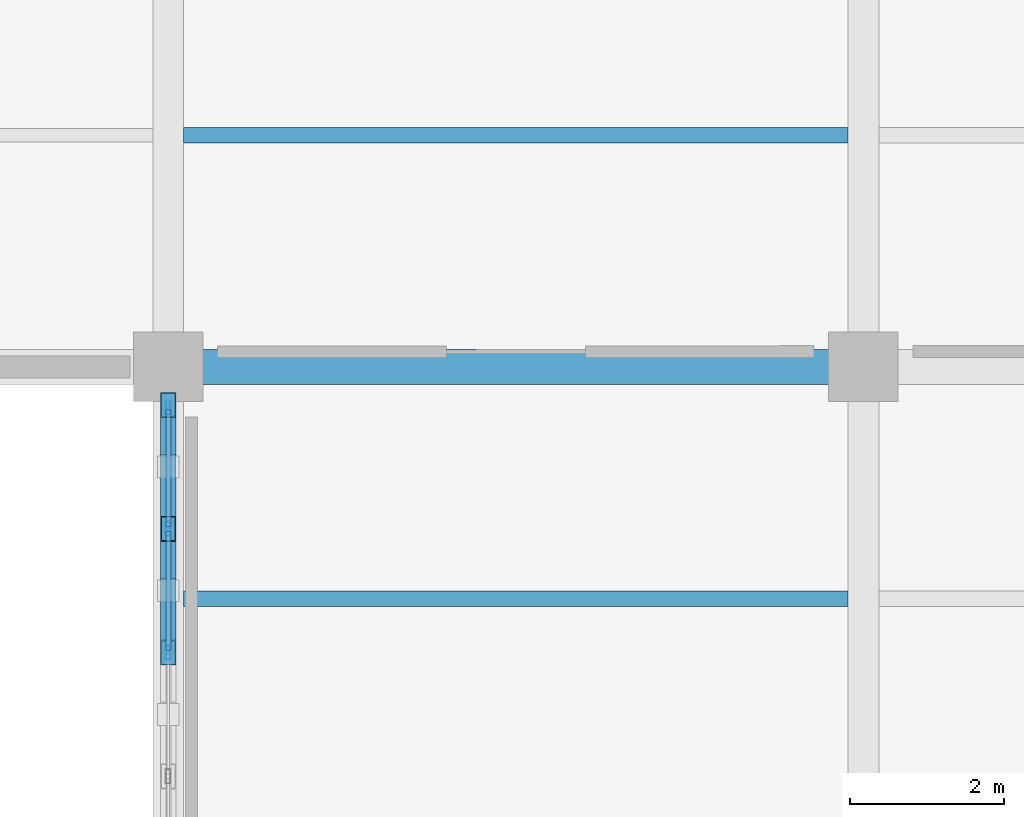
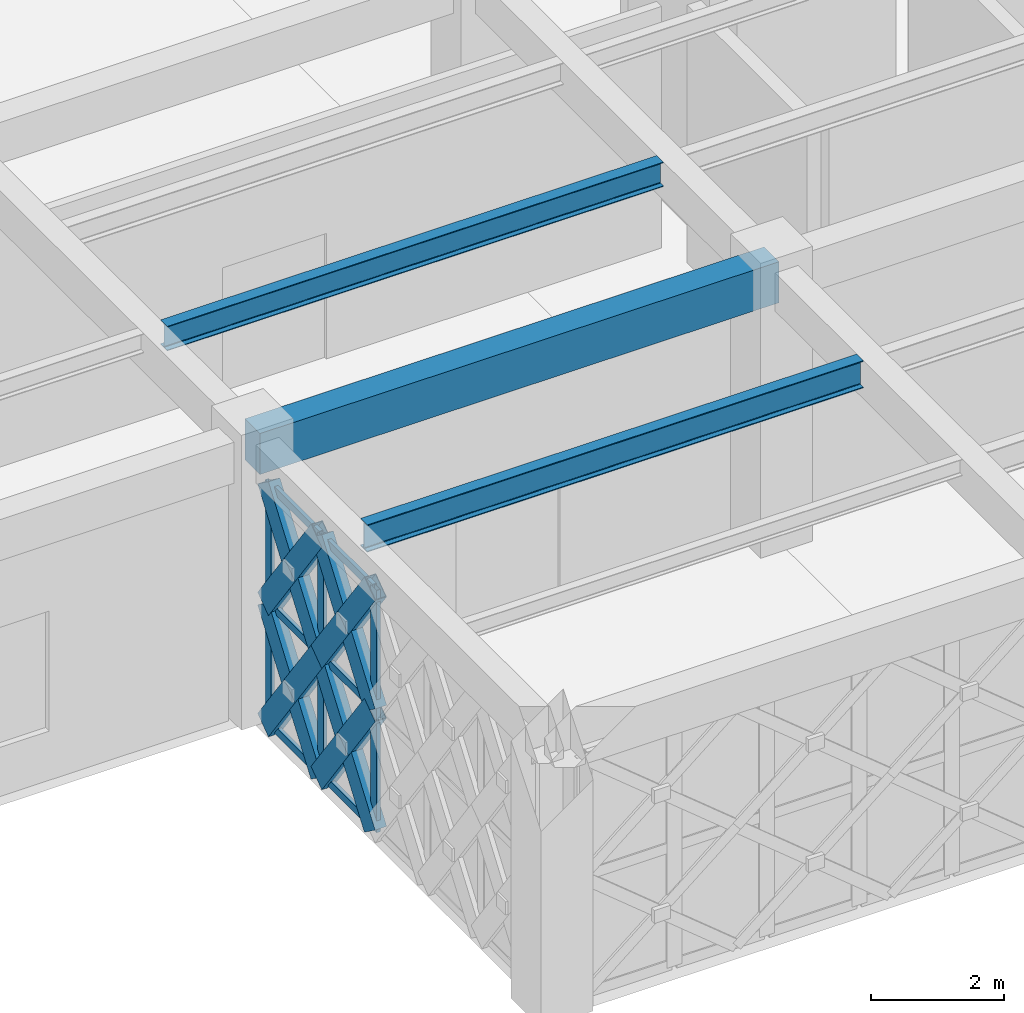
# One storey, part 77 of 166: 21 members, 3 beams, 1 element without a shape of its own.
"""IFC4 building model written with IfcOpenShell, lengths in metres."""

from ifc_helpers import new_model, si_unit, direction, frame, origin, origin_2d, place, context, subcontext, project, spatial, rectangle, hollow_rectangle, i_section, extrude, material, material_profile, profile_set, type_object, element, aggregate, save


model = new_model("IFC4")

# Units and contexts
model_context = context("Model", 3, precision=1e-05, world=origin(), true_north=direction((0.0, 1.0)))
body_context = subcontext(model_context, "Body", "Model", "MODEL_VIEW")
ifc_project = project(units=[si_unit("LENGTHUNIT", "METRE"), si_unit("AREAUNIT", "SQUARE_METRE"), si_unit("VOLUMEUNIT", "CUBIC_METRE"), si_unit("PLANEANGLEUNIT", "RADIAN"), si_unit("MASSUNIT", "GRAM", prefix="KILO")], contexts=[model_context])

# Site, building, storey
site_placement = place(None, origin())
site = spatial("IfcSite", under=ifc_project, at=site_placement, CompositionType="ELEMENT")
building_placement = place(site_placement, origin())
building = spatial("IfcBuilding", under=site, at=building_placement, Name="Haizhuo Lancet Aquarium", CompositionType="ELEMENT")
storey_placement = place(building_placement, frame((0.0, 0.0, 5.39990234375)))
storey = spatial("IfcBuildingStorey", under=building, at=storey_placement, Name="L01", CompositionType="ELEMENT", Elevation=5.39990234375)

# Beam
ifc_material_1 = material(Name="Concrete C40/50", Category="concrete")
ifc_material_profile_1 = material_profile(ifc_material_1, rectangle(XDim=0.449951171875, YDim=0.75, at=origin_2d()), Name="RC-BM 450x750")
ifc_profile_set_1 = profile_set([ifc_material_profile_1], Name="Concrete C40/50")
beam_type_1 = type_object("IfcBeamType", Name="BM-RC-450x750", PredefinedType="BEAM", material=ifc_profile_set_1)
beam_1_placement = place(storey_placement, frame((-18.0, 36.0, 4.76513671875), z_axis=(1.0, 0.0, 0.0), x_axis=(0.0, 1.0, 0.0)))
element("IfcBeam", 1, at=beam_1_placement, inside=storey, type_object=beam_type_1, Name="L01 V5 primary girder BM-L01-V5-006", PredefinedType="BEAM", context=body_context, shape_type="SweptSolid", body=[
    extrude(rectangle(XDim=0.449951171875, YDim=0.75, at=origin_2d()), origin(), (0.0, 0.0, 1.0), 9.0),
])

# Curtain wall, members
ifc_material_2 = material(Name="Aluminium 6063-T6", Category="aluminium")
curtain_wall_type = type_object("IfcCurtainWallType", Name="CWD-8010x4440", PredefinedType="NOTDEFINED", material=ifc_material_2)
curtain_wall_placement = place(storey_placement, origin())
curtain_wall = element("IfcCurtainWall", 2, at=curtain_wall_placement, inside=storey, type_object=curtain_wall_type, Name="L01 curtain wall CW-V5-L01-142", PredefinedType="NOTDEFINED")
ifc_material_profile_2 = material_profile(ifc_material_2, hollow_rectangle(XDim=0.06494140625, YDim=0.179931640625, WallThickness=0.00390625, at=origin_2d()), Name="ALU-M 65x180x4")
ifc_profile_set_2 = profile_set([ifc_material_profile_2], Name="Aluminium 6063-T6")
member_type_1 = type_object("IfcMemberType", Name="CW-MUL-1", PredefinedType="MULLION", material=ifc_profile_set_2)
member_1_placement = place(storey_placement, frame((-18.0, 32.301025390625, 0.0), z_axis=(0.0, 0.0, 1.0), x_axis=(-1.0, 0.0, 0.0)))
member_1 = element("IfcMember", 3, at=member_1_placement, type_object=member_type_1, Name="CWD-80x44 mullion 4", PredefinedType="MULLION", context=body_context, shape_type="SweptSolid", body=[
    extrude(hollow_rectangle(XDim=0.06494140625, YDim=0.179931640625, WallThickness=0.00390625, at=origin_2d()), origin(), (0.0, 0.0, 1.0), 4.440185546875),
])
member_2_placement = place(storey_placement, frame((-18.0, 33.903076171875, 0.0), z_axis=(0.0, 0.0, 1.0), x_axis=(-1.0, 0.0, 0.0)))
member_2 = element("IfcMember", 4, at=member_2_placement, type_object=member_type_1, Name="CWD-80x44 mullion 5", PredefinedType="MULLION", context=body_context, shape_type="SweptSolid", body=[
    extrude(hollow_rectangle(XDim=0.06494140625, YDim=0.179931640625, WallThickness=0.00390625, at=origin_2d()), origin(), (0.0, 0.0, 1.0), 4.440185546875),
])
member_3_placement = place(storey_placement, frame((-18.0, 35.472900390625, 0.0), z_axis=(0.0, 0.0, 1.0), x_axis=(-1.0, 0.0, 0.0)))
member_3 = element("IfcMember", 5, at=member_3_placement, type_object=member_type_1, Name="CWD-80x44 mullion 6", PredefinedType="MULLION", context=body_context, shape_type="SweptSolid", body=[
    extrude(hollow_rectangle(XDim=0.06494140625, YDim=0.179931640625, WallThickness=0.00390625, at=origin_2d()), origin(), (0.0, 0.0, 1.0), 4.440185546875),
])
ifc_material_profile_3 = material_profile(ifc_material_2, hollow_rectangle(XDim=0.06494140625, YDim=0.139892578125, WallThickness=0.00390625, at=origin_2d()), Name="ALU-T 65x140x4")
ifc_profile_set_3 = profile_set([ifc_material_profile_3], Name="Aluminium 6063-T6")
member_type_2 = type_object("IfcMemberType", Name="CW-TRN-1", PredefinedType="NOTDEFINED", material=ifc_profile_set_3)
member_4_placement = place(storey_placement, frame((-18.0, 32.333984375, 0.033203125), z_axis=(0.0, 1.0, 0.0), x_axis=(-1.0, 0.0, 0.0)))
member_4 = element("IfcMember", 6, at=member_4_placement, type_object=member_type_2, Name="CWD-80x44 transom 4.1", ObjectType="TRANSOM", PredefinedType="USERDEFINED", context=body_context, shape_type="SweptSolid", body=[
    extrude(hollow_rectangle(XDim=0.06494140625, YDim=0.139892578125, WallThickness=0.00390625, at=origin_2d()), origin(), (0.0, 0.0, 1.0), 1.5361328125),
])
member_5_placement = place(storey_placement, frame((-18.0, 32.333984375, 2.22021484375), z_axis=(0.0, 1.0, 0.0), x_axis=(-1.0, 0.0, 0.0)))
member_5 = element("IfcMember", 7, at=member_5_placement, type_object=member_type_2, Name="CWD-80x44 transom 4.2", ObjectType="TRANSOM", PredefinedType="USERDEFINED", context=body_context, shape_type="SweptSolid", body=[
    extrude(hollow_rectangle(XDim=0.06494140625, YDim=0.139892578125, WallThickness=0.00390625, at=origin_2d()), origin(), (0.0, 0.0, 1.0), 1.5361328125),
])
member_6_placement = place(storey_placement, frame((-18.0, 32.333984375, 4.406982421875), z_axis=(0.0, 1.0, 0.0), x_axis=(-1.0, 0.0, 0.0)))
member_6 = element("IfcMember", 8, at=member_6_placement, type_object=member_type_2, Name="CWD-80x44 transom 4.3", ObjectType="TRANSOM", PredefinedType="USERDEFINED", context=body_context, shape_type="SweptSolid", body=[
    extrude(hollow_rectangle(XDim=0.06494140625, YDim=0.139892578125, WallThickness=0.00390625, at=origin_2d()), origin(), (0.0, 0.0, 1.0), 1.5361328125),
])
member_7_placement = place(storey_placement, frame((-18.0, 33.93603515625, 0.033203125), z_axis=(0.0, 1.0, 0.0), x_axis=(-1.0, 0.0, 0.0)))
member_7 = element("IfcMember", 9, at=member_7_placement, type_object=member_type_2, Name="CWD-80x44 transom 5.1", ObjectType="TRANSOM", PredefinedType="USERDEFINED", context=body_context, shape_type="SweptSolid", body=[
    extrude(hollow_rectangle(XDim=0.06494140625, YDim=0.139892578125, WallThickness=0.00390625, at=origin_2d()), origin(), (0.0, 0.0, 1.0), 1.50390625),
])
member_8_placement = place(storey_placement, frame((-18.0, 33.93603515625, 2.22021484375), z_axis=(0.0, 1.0, 0.0), x_axis=(-1.0, 0.0, 0.0)))
member_8 = element("IfcMember", 10, at=member_8_placement, type_object=member_type_2, Name="CWD-80x44 transom 5.2", ObjectType="TRANSOM", PredefinedType="USERDEFINED", context=body_context, shape_type="SweptSolid", body=[
    extrude(hollow_rectangle(XDim=0.06494140625, YDim=0.139892578125, WallThickness=0.00390625, at=origin_2d()), origin(), (0.0, 0.0, 1.0), 1.50390625),
])
member_9_placement = place(storey_placement, frame((-18.0, 33.93603515625, 4.406982421875), z_axis=(0.0, 1.0, 0.0), x_axis=(-1.0, 0.0, 0.0)))
member_9 = element("IfcMember", 11, at=member_9_placement, type_object=member_type_2, Name="CWD-80x44 transom 5.3", ObjectType="TRANSOM", PredefinedType="USERDEFINED", context=body_context, shape_type="SweptSolid", body=[
    extrude(hollow_rectangle(XDim=0.06494140625, YDim=0.139892578125, WallThickness=0.00390625, at=origin_2d()), origin(), (0.0, 0.0, 1.0), 1.50390625),
])
aggregate(curtain_wall, [member_1, member_2, member_3, member_4, member_5, member_6, member_7, member_8, member_9])

# Beams
ifc_material_3 = material(Name="Steel S355", Category="steel")
ifc_material_profile_4 = material_profile(ifc_material_3, i_section(OverallWidth=0.199951171875, OverallDepth=0.449951171875, WebThickness=0.009033203125, FlangeThickness=0.013916015625, FilletRadius=0.01806640625, at=origin_2d()), Name="HN 450x200x9x14")
ifc_profile_set_4 = profile_set([ifc_material_profile_4], Name="Steel S355")
beam_type_2 = type_object("IfcBeamType", Name="JST-ST-HN450", PredefinedType="JOIST", material=ifc_profile_set_4)
beam_2_placement = place(storey_placement, frame((-17.800048828125, 39.0, 4.9150390625), z_axis=(1.0, 0.0, 0.0), x_axis=(0.0, 1.0, 0.0)))
element("IfcBeam", 12, at=beam_2_placement, inside=storey, type_object=beam_type_2, Name="L01 V5 secondary floor joist 4", PredefinedType="JOIST", context=body_context, shape_type="SweptSolid", body=[
    extrude(i_section(OverallWidth=0.199951171875, OverallDepth=0.449951171875, WebThickness=0.009033203125, FlangeThickness=0.013916015625, FilletRadius=0.01806640625, at=origin_2d()), origin(), (0.0, 0.0, 1.0), 8.60009765625),
])
ifc_material_profile_5 = material_profile(ifc_material_3, i_section(OverallWidth=0.199951171875, OverallDepth=0.5, WebThickness=0.010009765625, FlangeThickness=0.01611328125, FilletRadius=0.02001953125, at=origin_2d()), Name="HN 500x200x10x16")
ifc_profile_set_5 = profile_set([ifc_material_profile_5], Name="Steel S355")
beam_type_3 = type_object("IfcBeamType", Name="JST-ST-HN500", PredefinedType="JOIST", material=ifc_profile_set_5)
beam_3_placement = place(storey_placement, frame((-17.800048828125, 33.0, 4.89013671875), z_axis=(1.0, 0.0, 0.0), x_axis=(0.0, 1.0, 0.0)))
element("IfcBeam", 13, at=beam_3_placement, inside=storey, type_object=beam_type_3, Name="L01 V5 secondary floor joist 3", PredefinedType="JOIST", context=body_context, shape_type="SweptSolid", body=[
    extrude(i_section(OverallWidth=0.199951171875, OverallDepth=0.5, WebThickness=0.010009765625, FlangeThickness=0.01611328125, FilletRadius=0.02001953125, at=origin_2d()), origin(), (0.0, 0.0, 1.0), 8.60009765625),
])

# Members
ifc_material_profile_6 = material_profile(ifc_material_3, hollow_rectangle(XDim=0.199951171875, YDim=0.39990234375, WallThickness=0.011962890625, at=origin_2d()), Name="RHS 200x400x12")
ifc_profile_set_6 = profile_set([ifc_material_profile_6], Name="Steel S355")
member_type_3 = type_object("IfcMemberType", Name="MEM-LB-RHS200x400", PredefinedType="BRACE", material=ifc_profile_set_6)
member_10_placement = place(storey_placement, frame((-18.0, 32.301025390625, 0.0), z_axis=(0.0, 0.585145389624, 0.810928401896), x_axis=(-1.0, 0.0, 0.0)))
element("IfcMember", 14, at=member_10_placement, inside=storey, type_object=member_type_3, Name="Gothic lancet continuous diagonal brace CW-V5-L01-142 7A", PredefinedType="BRACE", context=body_context, shape_type="SweptSolid", body=[
    extrude(hollow_rectangle(XDim=0.199951171875, YDim=0.39990234375, WallThickness=0.011962890625, at=origin_2d()), origin(), (0.0, 0.0, 1.0), 2.73779296875),
])
for number, where, z_axis, x_axis, name in (
    (15, (-18.0, 33.903076171875, 0.0), (0.0, -0.585145389624, 0.810928401896), (1.0, 0.0, 0.0), "Gothic lancet split diagonal brace CW-V5-L01-142 7B1"),
    (16, (-18.0, 33.10205078125, 1.110107421875), (0.0, -0.585145389624, 0.810928401896), (1.0, 0.0, 0.0), "Gothic lancet split diagonal brace CW-V5-L01-142 7B2"),
):
    element("IfcMember", number, at=place(storey_placement, frame(where, z_axis=z_axis, x_axis=x_axis)), inside=storey, type_object=member_type_3, Name=name, PredefinedType="BRACE", context=body_context, shape_type="SweptSolid", body=[
        extrude(hollow_rectangle(XDim=0.199951171875, YDim=0.39990234375, WallThickness=0.011962890625, at=origin_2d()), origin(), (0.0, 0.0, 1.0), 1.368896484375),
    ])
member_11_placement = place(storey_placement, frame((-18.0, 32.301025390625, 2.22021484375), z_axis=(0.0, 0.585187704891, 0.810897866592), x_axis=(-1.0, 0.0, 0.0)))
element("IfcMember", 17, at=member_11_placement, inside=storey, type_object=member_type_3, Name="Gothic lancet continuous diagonal brace CW-V5-L01-142 8A", PredefinedType="BRACE", context=body_context, shape_type="SweptSolid", body=[
    extrude(hollow_rectangle(XDim=0.199951171875, YDim=0.39990234375, WallThickness=0.011962890625, at=origin_2d()), origin(), (0.0, 0.0, 1.0), 2.737548828125),
])
member_12_placement = place(storey_placement, frame((-18.0, 33.903076171875, 2.22021484375), z_axis=(0.0, -0.585230024685, 0.810867324663), x_axis=(1.0, 0.0, 0.0)))
element("IfcMember", 18, at=member_12_placement, inside=storey, type_object=member_type_3, Name="Gothic lancet split diagonal brace CW-V5-L01-142 8B1", PredefinedType="BRACE", context=body_context, shape_type="SweptSolid", body=[
    extrude(hollow_rectangle(XDim=0.199951171875, YDim=0.39990234375, WallThickness=0.011962890625, at=origin_2d()), origin(), (0.0, 0.0, 1.0), 1.36865234375),
])
member_13_placement = place(storey_placement, frame((-18.0, 33.10205078125, 3.330078125), z_axis=(0.0, -0.585145389624, 0.810928401896), x_axis=(1.0, 0.0, 0.0)))
element("IfcMember", 19, at=member_13_placement, inside=storey, type_object=member_type_3, Name="Gothic lancet split diagonal brace CW-V5-L01-142 8B2", PredefinedType="BRACE", context=body_context, shape_type="SweptSolid", body=[
    extrude(hollow_rectangle(XDim=0.199951171875, YDim=0.39990234375, WallThickness=0.011962890625, at=origin_2d()), origin(), (0.0, 0.0, 1.0), 1.368896484375),
])
member_14_placement = place(storey_placement, frame((-18.0, 33.903076171875, 0.0), z_axis=(0.0, 0.58508674522, 0.810970714988), x_axis=(-1.0, 0.0, 0.0)))
element("IfcMember", 20, at=member_14_placement, inside=storey, type_object=member_type_3, Name="Gothic lancet continuous diagonal brace CW-V5-L01-142 9A", PredefinedType="BRACE", context=body_context, shape_type="SweptSolid", body=[
    extrude(hollow_rectangle(XDim=0.199951171875, YDim=0.39990234375, WallThickness=0.011962890625, at=origin_2d()), origin(), (0.0, 0.0, 1.0), 2.73779296875),
])
for number, where, z_axis, x_axis, name in (
    (21, (-18.0, 35.5048828125, 0.0), (0.0, -0.585028091636, 0.811013028253), (1.0, 0.0, 0.0), "Gothic lancet split diagonal brace CW-V5-L01-142 9B1"),
    (22, (-18.0, 34.7041015625, 1.110107421875), (0.0, -0.585145389624, 0.810928401896), (1.0, 0.0, 0.0), "Gothic lancet split diagonal brace CW-V5-L01-142 9B2"),
):
    element("IfcMember", number, at=place(storey_placement, frame(where, z_axis=z_axis, x_axis=x_axis)), inside=storey, type_object=member_type_3, Name=name, PredefinedType="BRACE", context=body_context, shape_type="SweptSolid", body=[
        extrude(hollow_rectangle(XDim=0.199951171875, YDim=0.39990234375, WallThickness=0.011962890625, at=origin_2d()), origin(), (0.0, 0.0, 1.0), 1.368896484375),
    ])
member_15_placement = place(storey_placement, frame((-18.0, 33.903076171875, 2.22021484375), z_axis=(0.0, 0.585129060663, 0.810940184211), x_axis=(-1.0, 0.0, 0.0)))
element("IfcMember", 23, at=member_15_placement, inside=storey, type_object=member_type_3, Name="Gothic lancet continuous diagonal brace CW-V5-L01-142 10A", PredefinedType="BRACE", context=body_context, shape_type="SweptSolid", body=[
    extrude(hollow_rectangle(XDim=0.199951171875, YDim=0.39990234375, WallThickness=0.011962890625, at=origin_2d()), origin(), (0.0, 0.0, 1.0), 2.737548828125),
])
member_16_placement = place(storey_placement, frame((-18.0, 35.5048828125, 2.22021484375), z_axis=(0.0, -0.585112727398, 0.810951969131), x_axis=(1.0, 0.0, 0.0)))
element("IfcMember", 24, at=member_16_placement, inside=storey, type_object=member_type_3, Name="Gothic lancet split diagonal brace CW-V5-L01-142 10B1", PredefinedType="BRACE", context=body_context, shape_type="SweptSolid", body=[
    extrude(hollow_rectangle(XDim=0.199951171875, YDim=0.39990234375, WallThickness=0.011962890625, at=origin_2d()), origin(), (0.0, 0.0, 1.0), 1.36865234375),
])
member_17_placement = place(storey_placement, frame((-18.0, 34.7041015625, 3.330078125), z_axis=(0.0, -0.585145389624, 0.810928401896), x_axis=(1.0, 0.0, 0.0)))
element("IfcMember", 25, at=member_17_placement, inside=storey, type_object=member_type_3, Name="Gothic lancet split diagonal brace CW-V5-L01-142 10B2", PredefinedType="BRACE", context=body_context, shape_type="SweptSolid", body=[
    extrude(hollow_rectangle(XDim=0.199951171875, YDim=0.39990234375, WallThickness=0.011962890625, at=origin_2d()), origin(), (0.0, 0.0, 1.0), 1.368896484375),
])

save(model, "model.ifc")
